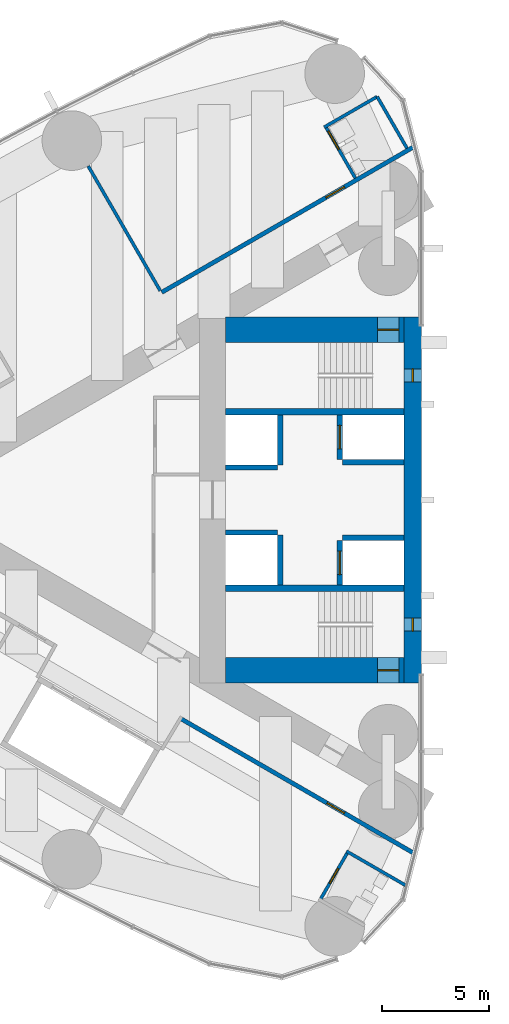
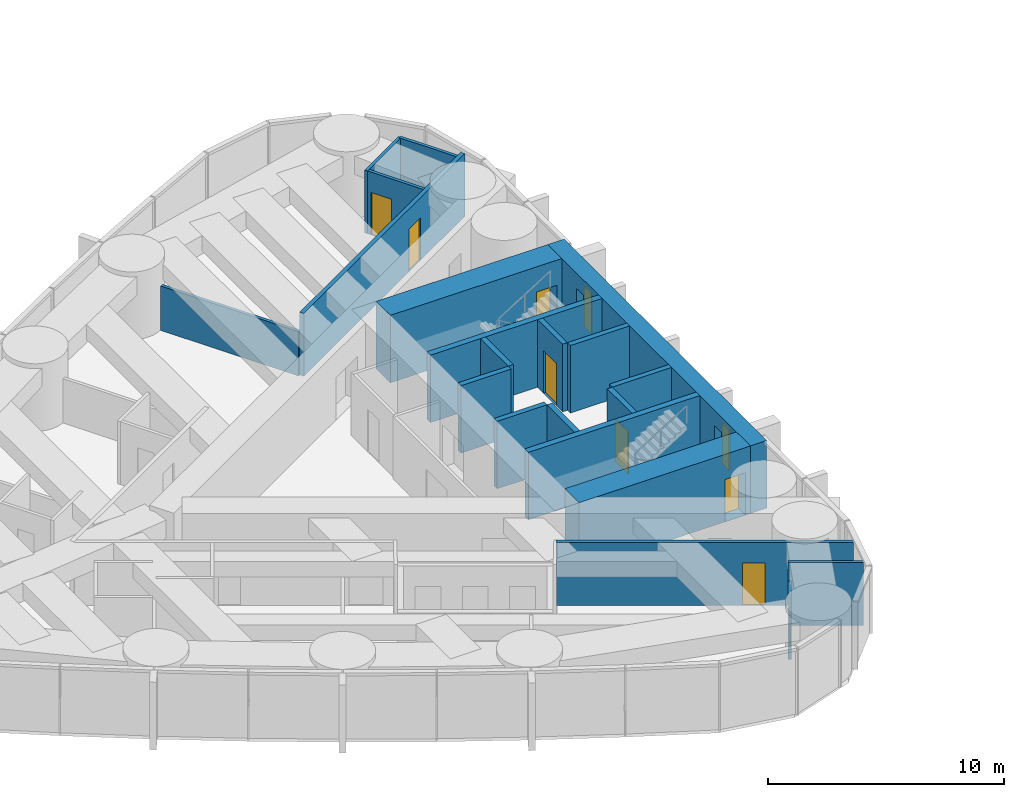
# One storey, part 13 of 18: 21 walls, 8 doors, 2 windows, 10 openings.
"""IFC4 building model written with IfcOpenShell, lengths in metres."""

from ifc_helpers import new_model, si_unit, direction, frame, frame_2d, origin, place, context, subcontext, project, spatial, rectangle, extrude, material, layer, layer_set, type_object, element, fill, save


model = new_model("IFC4")

# Units and contexts
model_context = context("Model", 3, precision=1e-05, world=origin(), true_north=direction((0.0, 1.0)))
body_context = subcontext(model_context, "Body", "Model", "MODEL_VIEW")
ifc_project = project(units=[si_unit("LENGTHUNIT", "METRE"), si_unit("AREAUNIT", "SQUARE_METRE"), si_unit("VOLUMEUNIT", "CUBIC_METRE"), si_unit("PLANEANGLEUNIT", "RADIAN"), si_unit("MASSUNIT", "GRAM", prefix="KILO")], contexts=[model_context])

# Site, building, storey
site_placement = place(None, origin())
site = spatial("IfcSite", under=ifc_project, at=site_placement, CompositionType="ELEMENT")
building_placement = place(site_placement, origin())
building = spatial("IfcBuilding", under=site, at=building_placement, Name="Lancet Gate Hotel", CompositionType="ELEMENT")
storey_placement = place(building_placement, frame((0.0, 0.0, 180.800048828125)))
storey = spatial("IfcBuildingStorey", under=building, at=storey_placement, Name="L48", CompositionType="ELEMENT", Elevation=180.800048828125)

# Wall
ifc_material_1 = material(Name="Moisture resistant board partition")
ifc_layer_1 = layer(ifc_material_1, 0.14990234375)
ifc_layer_set_1 = layer_set([ifc_layer_1], Name="Bathroom wall 150")
wall_type_1 = type_object("IfcWallType", Name="Bathroom wall 150", PredefinedType="PARTITIONING", material=ifc_layer_set_1)
wall_1_placement = place(storey_placement, frame((-29.56982421875, 18.936279296875, 0.0), z_axis=(0.0, 0.0, 1.0), x_axis=(-0.866018712932, -0.500011588718, 0.0)))
element("IfcWall", 1, at=wall_1_placement, inside=storey, type_object=wall_type_1, Name="T1 bathroom wall 150 L48", PredefinedType="PARTITIONING", context=body_context, shape_type="SweptSolid", body=[
    extrude(rectangle(XDim=2.875, YDim=0.14990234375, at=frame_2d((1.4375, 0.0))), origin(), (0.0, 0.0, 1.0), 3.25),
])

# Wall, opening, door
wall_2_placement = place(storey_placement, frame((-30.5947265625, 15.111328125, 0.0), z_axis=(0.0, 0.0, 1.0), x_axis=(-0.49998411664, 0.866034573852, 0.0)))
wall_2 = element("IfcWall", 2, at=wall_2_placement, inside=storey, type_object=wall_type_1, Name="T1 bathroom wall 150 L48", PredefinedType="PARTITIONING", context=body_context, shape_type="SweptSolid", body=[
    extrude(rectangle(XDim=2.7998046875, YDim=0.14990234375, at=frame_2d((1.39990234375, 0.0))), origin(), (0.0, 0.0, 1.0), 3.25),
])
opening_1_placement = place(wall_2_placement, frame((1.550048828125, 0.0, 0.0)))
opening_1 = element("IfcOpeningElement", 3, at=opening_1_placement, cuts=wall_2, Name="Opening 4801-B", PredefinedType="OPENING", context=body_context, shape_type="SweptSolid", body=[
    extrude(rectangle(XDim=1.0, YDim=2.199951171875, at=frame_2d((0.5, 1.10009765625))), frame((0.0, 0.0849609375, 0.0), z_axis=(0.0, -1.0, 0.0), x_axis=(1.0, 0.0, 0.0)), (0.0, 0.0, 1.0), 0.169921875),
])
ifc_material_2 = material(Name="Timber door set", Category="wood")
door_type_1 = type_object("IfcDoorType", Name="Accessible en-suite door 1000", OperationType="SINGLE_SWING_RIGHT", PredefinedType="DOOR", material=ifc_material_2)
door_1_placement = place(opening_1_placement, origin())
door_1 = element("IfcDoor", 4, at=door_1_placement, inside=storey, type_object=door_type_1, Name="4801-B", OperationType="SINGLE_SWING_RIGHT", OverallHeight=2.199951171875, OverallWidth=1.0, PredefinedType="DOOR", context=body_context, shape_type="SweptSolid", body=[
    extrude(rectangle(XDim=1.0, YDim=2.199951171875, at=frame_2d((0.5, 1.10009765625))), frame((0.0, 0.02490234375, 0.0), z_axis=(0.0, -1.0, 0.0), x_axis=(1.0, 0.0, 0.0)), (0.0, 0.0, 1.0), 0.050048828125),
])
fill(opening_1, door_1)

# Wall
wall_3_placement = place(storey_placement, frame((-28.169921875, 16.51123046875, 0.0), z_axis=(0.0, 0.0, 1.0), x_axis=(-0.49994636267, 0.866056369097, 0.0)))
element("IfcWall", 5, at=wall_3_placement, inside=storey, type_object=wall_type_1, Name="T1 bathroom wall 150 L48", PredefinedType="PARTITIONING", context=body_context, shape_type="SweptSolid", body=[
    extrude(rectangle(XDim=2.800048828125, YDim=0.14990234375, at=frame_2d((1.39990234375, 0.0))), origin(), (0.0, 0.0, 1.0), 3.25),
])

# Wall, opening, door
wall_4_placement = place(storey_placement, frame((-30.9482421875, -16.523681640625, 0.0), z_axis=(0.0, 0.0, 1.0), x_axis=(-0.500006934395, -0.866021400173, 0.0)))
wall_4 = element("IfcWall", 6, at=wall_4_placement, inside=storey, type_object=wall_type_1, Name="T1 bathroom wall 150 L48", PredefinedType="PARTITIONING", context=body_context, shape_type="SweptSolid", body=[
    extrude(rectangle(XDim=2.60009765625, YDim=0.14990234375, at=frame_2d((1.300048828125, 0.0))), origin(), (0.0, 0.0, 1.0), 2.300048828125),
])
opening_2_placement = place(wall_4_placement, frame((0.89990234375, 0.0, 0.0)))
opening_2 = element("IfcOpeningElement", 7, at=opening_2_placement, cuts=wall_4, Name="Opening 4808-B", PredefinedType="OPENING", context=body_context, shape_type="SweptSolid", body=[
    extrude(rectangle(XDim=0.800048828125, YDim=2.199951171875, at=frame_2d((0.39990234375, 1.10009765625))), frame((0.0, 0.0849609375, 0.0), z_axis=(0.0, -1.0, 0.0), x_axis=(1.0, 0.0, 0.0)), (0.0, 0.0, 1.0), 0.169921875),
])
ifc_material_3 = material(Name="Timber door set", Category="wood")
door_type_2 = type_object("IfcDoorType", Name="Bathroom door 800", OperationType="SINGLE_SWING_RIGHT", PredefinedType="DOOR", material=ifc_material_3)
door_2_placement = place(opening_2_placement, origin())
door_2 = element("IfcDoor", 8, at=door_2_placement, inside=storey, type_object=door_type_2, Name="4808-B", OperationType="SINGLE_SWING_RIGHT", OverallHeight=2.199951171875, OverallWidth=0.800048828125, PredefinedType="DOOR", context=body_context, shape_type="SweptSolid", body=[
    extrude(rectangle(XDim=0.800048828125, YDim=2.199951171875, at=frame_2d((0.39990234375, 1.10009765625))), frame((0.0, 0.02490234375, 0.0), z_axis=(0.0, -1.0, 0.0), x_axis=(1.0, 0.0, 0.0)), (0.0, 0.0, 1.0), 0.050048828125),
])
fill(opening_2, door_2)

# Wall
wall_5_placement = place(storey_placement, frame((-28.246337890625, -18.083740234375, 0.0), z_axis=(0.0, 0.0, 1.0), x_axis=(-0.866029063467, 0.49999366119, 0.0)))
element("IfcWall", 9, at=wall_5_placement, inside=storey, type_object=wall_type_1, Name="T1 bathroom wall 150 L48", PredefinedType="PARTITIONING", context=body_context, shape_type="SweptSolid", body=[
    extrude(rectangle(XDim=3.19482421875, YDim=0.14990234375, at=frame_2d((1.597412109375, 0.0))), origin(), (0.0, 0.0, 1.0), 3.25),
])

# Wall, opening, door
ifc_material_4 = material(Name="Concrete C70/85", Category="concrete")
ifc_layer_2 = layer(ifc_material_4, 1.199951171875)
ifc_layer_set_2 = layer_set([ifc_layer_2], Name="Core wall 1200")
wall_type_2 = type_object("IfcWallType", Name="Core wall 1200", PredefinedType="SHEAR", material=ifc_layer_set_2)
wall_6_placement = place(storey_placement, frame((-28.300048828125, 8.0, 0.0), z_axis=(0.0, 0.0, 1.0), x_axis=(-1.0, 0.0, 0.0)))
wall_6 = element("IfcWall", 10, at=wall_6_placement, inside=storey, type_object=wall_type_2, Name="T1 core wall side-S L48", PredefinedType="SHEAR", context=body_context, shape_type="SweptSolid", body=[
    extrude(rectangle(XDim=8.39990234375, YDim=1.199951171875, at=frame_2d((4.199951171875, 0.0))), origin(), (0.0, 0.0, 1.0), 3.5),
])
opening_3_placement = place(wall_6_placement, frame((0.25, 0.0, 0.0)))
opening_3 = element("IfcOpeningElement", 11, at=opening_3_placement, cuts=wall_6, Name="Opening T1-L48-ST1", PredefinedType="OPENING", context=body_context, shape_type="SweptSolid", body=[
    extrude(rectangle(XDim=1.0, YDim=2.199951171875, at=frame_2d((0.5, 1.10009765625))), frame((0.0, 0.60986328125, 0.0), z_axis=(0.0, -1.0, 0.0), x_axis=(1.0, 0.0, 0.0)), (0.0, 0.0, 1.0), 1.219970703125),
])
ifc_material_5 = material(Name="Timber door set", Category="wood")
door_type_3 = type_object("IfcDoorType", Name="Stair door 1000", OperationType="SINGLE_SWING_RIGHT", PredefinedType="DOOR", material=ifc_material_5)
door_3_placement = place(opening_3_placement, origin())
door_3 = element("IfcDoor", 12, at=door_3_placement, inside=storey, type_object=door_type_3, Name="T1-L48-ST1", OperationType="SINGLE_SWING_RIGHT", OverallHeight=2.199951171875, OverallWidth=1.0, PredefinedType="DOOR", context=body_context, shape_type="SweptSolid", body=[
    extrude(rectangle(XDim=1.0, YDim=2.199951171875, at=frame_2d((0.5, 1.10009765625))), frame((0.0, 0.02490234375, 0.0), z_axis=(0.0, -1.0, 0.0), x_axis=(1.0, 0.0, 0.0)), (0.0, 0.0, 1.0), 0.050048828125),
])
fill(opening_3, door_3)

wall_7_placement = place(storey_placement, frame((-28.300048828125, -8.0, 0.0), z_axis=(0.0, 0.0, 1.0), x_axis=(-1.0, 0.0, 0.0)))
wall_7 = element("IfcWall", 13, at=wall_7_placement, inside=storey, type_object=wall_type_2, Name="T1 core wall side-N L48", PredefinedType="SHEAR", context=body_context, shape_type="SweptSolid", body=[
    extrude(rectangle(XDim=8.39990234375, YDim=1.199951171875, at=frame_2d((4.199951171875, 0.0))), origin(), (0.0, 0.0, 1.0), 3.5),
])
opening_4_placement = place(wall_7_placement, frame((0.25, 0.0, 0.0)))
opening_4 = element("IfcOpeningElement", 14, at=opening_4_placement, cuts=wall_7, Name="Opening T1-L48-ST2", PredefinedType="OPENING", context=body_context, shape_type="SweptSolid", body=[
    extrude(rectangle(XDim=1.0, YDim=2.199951171875, at=frame_2d((0.5, 1.10009765625))), frame((0.0, 0.60986328125, 0.0), z_axis=(0.0, -1.0, 0.0), x_axis=(1.0, 0.0, 0.0)), (0.0, 0.0, 1.0), 1.219970703125),
])
door_4_placement = place(opening_4_placement, origin())
door_4 = element("IfcDoor", 15, at=door_4_placement, inside=storey, type_object=door_type_3, Name="T1-L48-ST2", OperationType="SINGLE_SWING_RIGHT", OverallHeight=2.199951171875, OverallWidth=1.0, PredefinedType="DOOR", context=body_context, shape_type="SweptSolid", body=[
    extrude(rectangle(XDim=1.0, YDim=2.199951171875, at=frame_2d((0.5, 1.10009765625))), frame((0.0, 0.02490234375, 0.0), z_axis=(0.0, -1.0, 0.0), x_axis=(1.0, 0.0, 0.0)), (0.0, 0.0, 1.0), 0.050048828125),
])
fill(opening_4, door_4)

# Wall, openings, windows
ifc_material_6 = material(Name="Concrete C70/85", Category="concrete")
ifc_layer_3 = layer(ifc_material_6, 0.800048828125)
ifc_layer_set_3 = layer_set([ifc_layer_3], Name="Core wall 800")
wall_type_3 = type_object("IfcWallType", Name="Core wall 800", PredefinedType="SHEAR", material=ifc_layer_set_3)
wall_8_placement = place(storey_placement, frame((-27.89990234375, 8.60009765625, 0.0), z_axis=(0.0, 0.0, 1.0), x_axis=(0.0, -1.0, 0.0)))
wall_8 = element("IfcWall", 16, at=wall_8_placement, inside=storey, type_object=wall_type_3, Name="T1 core wall front L48", PredefinedType="SHEAR", context=body_context, shape_type="SweptSolid", body=[
    extrude(rectangle(XDim=17.2001953125, YDim=0.800048828125, at=frame_2d((8.60009765625, 0.0))), origin(), (0.0, 0.0, 1.0), 3.5),
])
opening_5_placement = place(wall_8_placement, frame((2.449951171875, 0.0, 0.60009765625)))
opening_5 = element("IfcOpeningElement", 17, at=opening_5_placement, cuts=wall_8, Name="Opening LW1", PredefinedType="OPENING", context=body_context, shape_type="SweptSolid", body=[
    extrude(rectangle(XDim=0.60009765625, YDim=2.10009765625, at=frame_2d((0.300048828125, 1.050048828125))), frame((0.0, 0.409912109375, 0.0), z_axis=(0.0, -1.0, 0.0), x_axis=(1.0, 0.0, 0.0)), (0.0, 0.0, 1.0), 0.820068359375),
])
opening_6_placement = place(wall_8_placement, frame((14.14990234375, 0.0, 0.60009765625)))
opening_6 = element("IfcOpeningElement", 18, at=opening_6_placement, cuts=wall_8, Name="Opening LW1", PredefinedType="OPENING", context=body_context, shape_type="SweptSolid", body=[
    extrude(rectangle(XDim=0.60009765625, YDim=2.10009765625, at=frame_2d((0.300048828125, 1.050048828125))), frame((0.0, 0.409912109375, 0.0), z_axis=(0.0, -1.0, 0.0), x_axis=(1.0, 0.0, 0.0)), (0.0, 0.0, 1.0), 0.820068359375),
])
ifc_material_7 = material(Name="Fire-resisting glazed steel window", Category="steel")
window_type = type_object("IfcWindowType", Name="Lancet window 600x2100", PartitioningType="SINGLE_PANEL", PredefinedType="WINDOW", material=ifc_material_7)
window_1_placement = place(opening_5_placement, origin())
window_1 = element("IfcWindow", 19, at=window_1_placement, inside=storey, type_object=window_type, Name="T1 stair window S L48", OverallHeight=2.10009765625, OverallWidth=0.60009765625, PartitioningType="SINGLE_PANEL", PredefinedType="WINDOW", context=body_context, shape_type="SweptSolid", body=[
    extrude(rectangle(XDim=0.60009765625, YDim=2.10009765625, at=frame_2d((0.300048828125, 1.050048828125))), frame((0.0, 0.030029296875, 0.0), z_axis=(0.0, -1.0, 0.0), x_axis=(1.0, 0.0, 0.0)), (0.0, 0.0, 1.0), 0.06005859375),
])
fill(opening_5, window_1)
window_2_placement = place(opening_6_placement, origin())
window_2 = element("IfcWindow", 20, at=window_2_placement, inside=storey, type_object=window_type, Name="T1 stair window N L48", OverallHeight=2.10009765625, OverallWidth=0.60009765625, PartitioningType="SINGLE_PANEL", PredefinedType="WINDOW", context=body_context, shape_type="SweptSolid", body=[
    extrude(rectangle(XDim=0.60009765625, YDim=2.10009765625, at=frame_2d((0.300048828125, 1.050048828125))), frame((0.0, 0.030029296875, 0.0), z_axis=(0.0, -1.0, 0.0), x_axis=(1.0, 0.0, 0.0)), (0.0, 0.0, 1.0), 0.06005859375),
])
fill(opening_6, window_2)

# Wall, opening, door
ifc_material_8 = material(Name="Gypsum board partition")
ifc_layer_4 = layer(ifc_material_8, 0.199951171875)
ifc_layer_set_4 = layer_set([ifc_layer_4], Name="Corridor wall 200")
wall_type_4 = type_object("IfcWallType", Name="Corridor wall 200", PredefinedType="PARTITIONING", material=ifc_layer_set_4)
wall_9_placement = place(storey_placement, frame((-27.860107421875, -16.57470703125, 0.0), z_axis=(0.0, 0.0, 1.0), x_axis=(-0.866027756871, 0.499995924312, 0.0)))
wall_9 = element("IfcWall", 21, at=wall_9_placement, inside=storey, type_object=wall_type_4, Name="T1 corridor wall 200 L48", PredefinedType="PARTITIONING", context=body_context, shape_type="SweptSolid", body=[
    extrude(rectangle(XDim=12.6220703125, YDim=0.199951171875, at=frame_2d((6.31103515625, 0.0))), origin(), (0.0, 0.0, 1.0), 3.25),
])
opening_7_placement = place(wall_9_placement, frame((3.75, 0.0, 0.0)))
opening_7 = element("IfcOpeningElement", 22, at=opening_7_placement, cuts=wall_9, Name="Opening 4808-E", PredefinedType="OPENING", context=body_context, shape_type="SweptSolid", body=[
    extrude(rectangle(XDim=0.949951171875, YDim=2.199951171875, at=frame_2d((0.47509765625, 1.10009765625))), frame((0.0, 0.10986328125, 0.0), z_axis=(0.0, -1.0, 0.0), x_axis=(1.0, 0.0, 0.0)), (0.0, 0.0, 1.0), 0.219970703125),
])
ifc_material_9 = material(Name="Timber door set", Category="wood")
door_type_4 = type_object("IfcDoorType", Name="Guest room entry door 950", OperationType="SINGLE_SWING_LEFT", PredefinedType="DOOR", material=ifc_material_9)
door_5_placement = place(opening_7_placement, origin())
door_5 = element("IfcDoor", 23, at=door_5_placement, inside=storey, type_object=door_type_4, Name="4808-E", OperationType="SINGLE_SWING_LEFT", OverallHeight=2.199951171875, OverallWidth=0.949951171875, PredefinedType="DOOR", context=body_context, shape_type="SweptSolid", body=[
    extrude(rectangle(XDim=0.949951171875, YDim=2.199951171875, at=frame_2d((0.47509765625, 1.10009765625))), frame((0.0, 0.02490234375, 0.0), z_axis=(0.0, -1.0, 0.0), x_axis=(1.0, 0.0, 0.0)), (0.0, 0.0, 1.0), 0.050048828125),
])
fill(opening_7, door_5)

wall_10_placement = place(storey_placement, frame((-27.860107421875, 16.57470703125, 0.0), z_axis=(0.0, 0.0, 1.0), x_axis=(-0.866026850238, -0.499997494661, 0.0)))
wall_10 = element("IfcWall", 24, at=wall_10_placement, inside=storey, type_object=wall_type_4, Name="T1 corridor wall 200 L48", PredefinedType="PARTITIONING", context=body_context, shape_type="SweptSolid", body=[
    extrude(rectangle(XDim=13.6513671875, YDim=0.199951171875, at=frame_2d((6.82568359375, 0.0))), origin(), (0.0, 0.0, 1.0), 3.25),
])
opening_8_placement = place(wall_10_placement, frame((3.75, 0.0, 0.0)))
opening_8 = element("IfcOpeningElement", 25, at=opening_8_placement, cuts=wall_10, Name="Opening 4801-E", PredefinedType="OPENING", context=body_context, shape_type="SweptSolid", body=[
    extrude(rectangle(XDim=1.0, YDim=2.199951171875, at=frame_2d((0.5, 1.10009765625))), frame((0.0, 0.10986328125, 0.0), z_axis=(0.0, -1.0, 0.0), x_axis=(1.0, 0.0, 0.0)), (0.0, 0.0, 1.0), 0.219970703125),
])
ifc_material_10 = material(Name="Timber door set", Category="wood")
door_type_5 = type_object("IfcDoorType", Name="Accessible guest room door 1000", OperationType="SINGLE_SWING_LEFT", PredefinedType="DOOR", material=ifc_material_10)
door_6_placement = place(opening_8_placement, origin())
door_6 = element("IfcDoor", 26, at=door_6_placement, inside=storey, type_object=door_type_5, Name="4801-E", OperationType="SINGLE_SWING_LEFT", OverallHeight=2.199951171875, OverallWidth=1.0, PredefinedType="DOOR", context=body_context, shape_type="SweptSolid", body=[
    extrude(rectangle(XDim=1.0, YDim=2.199951171875, at=frame_2d((0.5, 1.10009765625))), frame((0.0, 0.02490234375, 0.0), z_axis=(0.0, -1.0, 0.0), x_axis=(1.0, 0.0, 0.0)), (0.0, 0.0, 1.0), 0.050048828125),
])
fill(opening_8, door_6)

ifc_material_11 = material(Name="Concrete C50/60", Category="concrete")
ifc_layer_5 = layer(ifc_material_11, 0.25)
ifc_layer_set_5 = layer_set([ifc_layer_5], Name="Lift shaft wall 250")
wall_type_5 = type_object("IfcWallType", Name="Lift shaft wall 250", PredefinedType="SHEAR", material=ifc_layer_set_5)
wall_11_placement = place(storey_placement, frame((-31.324951171875, 4.0, 0.0), z_axis=(0.0, 0.0, 1.0), x_axis=(0.0, -1.0, 0.0)))
wall_11 = element("IfcWall", 27, at=wall_11_placement, inside=storey, type_object=wall_type_5, Name="T1 core wall row1-S L48", PredefinedType="SHEAR", context=body_context, shape_type="SweptSolid", body=[
    extrude(rectangle(XDim=2.10009765625, YDim=0.25, at=frame_2d((1.050048828125, 0.0))), origin(), (0.0, 0.0, 1.0), 3.5),
])
opening_9_placement = place(wall_11_placement, frame((0.5, 0.0, 0.0)))
opening_9 = element("IfcOpeningElement", 28, at=opening_9_placement, cuts=wall_11, Name="Opening T1-SL1-L48", PredefinedType="OPENING", context=body_context, shape_type="SweptSolid", body=[
    extrude(rectangle(XDim=1.10009765625, YDim=2.199951171875, at=frame_2d((0.550048828125, 1.10009765625))), frame((0.0, 0.135009765625, 0.0), z_axis=(0.0, -1.0, 0.0), x_axis=(1.0, 0.0, 0.0)), (0.0, 0.0, 1.0), 0.27001953125),
])
ifc_material_12 = material(Name="Timber door set", Category="wood")
door_type_6 = type_object("IfcDoorType", Name="Service lift landing door 1100", OperationType="SLIDING_TO_LEFT", PredefinedType="USERDEFINED", material=ifc_material_12)
door_7_placement = place(opening_9_placement, origin())
door_7 = element("IfcDoor", 29, at=door_7_placement, inside=storey, type_object=door_type_6, Name="T1-SL1-L48", ObjectType="LIFT LANDING DOOR", OperationType="SLIDING_TO_LEFT", OverallHeight=2.199951171875, OverallWidth=1.10009765625, PredefinedType="USERDEFINED", context=body_context, shape_type="SweptSolid", body=[
    extrude(rectangle(XDim=1.10009765625, YDim=2.199951171875, at=frame_2d((0.550048828125, 1.10009765625))), frame((0.0, 0.02490234375, 0.0), z_axis=(0.0, -1.0, 0.0), x_axis=(1.0, 0.0, 0.0)), (0.0, 0.0, 1.0), 0.050048828125),
])
fill(opening_9, door_7)

# Walls
wall_12_placement = place(storey_placement, frame((-34.125, 4.0, 0.0), z_axis=(0.0, 0.0, 1.0), x_axis=(0.0, -1.0, 0.0)))
element("IfcWall", 30, at=wall_12_placement, inside=storey, type_object=wall_type_5, Name="T1 core wall row2-S L48", PredefinedType="SHEAR", context=body_context, shape_type="SweptSolid", body=[
    extrude(rectangle(XDim=2.35009765625, YDim=0.25, at=frame_2d((1.175048828125, 0.0))), origin(), (0.0, 0.0, 1.0), 3.5),
])
wall_13_placement = place(storey_placement, frame((-28.300048828125, 1.77490234375, 0.0), z_axis=(0.0, 0.0, 1.0), x_axis=(-1.0, 0.0, 0.0)))
element("IfcWall", 31, at=wall_13_placement, inside=storey, type_object=wall_type_5, Name="T1 core wall pass1-S L48", PredefinedType="SHEAR", context=body_context, shape_type="SweptSolid", body=[
    extrude(rectangle(XDim=2.89990234375, YDim=0.25, at=frame_2d((1.449951171875, 0.0))), origin(), (0.0, 0.0, 1.0), 3.5),
])
wall_14_placement = place(storey_placement, frame((-34.25, 1.52490234375, 0.0), z_axis=(0.0, 0.0, 1.0), x_axis=(-1.0, 0.0, 0.0)))
element("IfcWall", 32, at=wall_14_placement, inside=storey, type_object=wall_type_5, Name="T1 core wall pass2-S L48", PredefinedType="SHEAR", context=body_context, shape_type="SweptSolid", body=[
    extrude(rectangle(XDim=2.449951171875, YDim=0.25, at=frame_2d((1.22509765625, 0.0))), origin(), (0.0, 0.0, 1.0), 3.5),
])

# Wall, opening, door
wall_15_placement = place(storey_placement, frame((-31.324951171875, -1.89990234375, 0.0), z_axis=(0.0, 0.0, 1.0), x_axis=(0.0, -1.0, 0.0)))
wall_15 = element("IfcWall", 33, at=wall_15_placement, inside=storey, type_object=wall_type_5, Name="T1 core wall row1-N L48", PredefinedType="SHEAR", context=body_context, shape_type="SweptSolid", body=[
    extrude(rectangle(XDim=2.10009765625, YDim=0.25, at=frame_2d((1.050048828125, 0.0))), origin(), (0.0, 0.0, 1.0), 3.5),
])
opening_10_placement = place(wall_15_placement, frame((0.5, 0.0, 0.0)))
opening_10 = element("IfcOpeningElement", 34, at=opening_10_placement, cuts=wall_15, Name="Opening T1-FL2-L48", PredefinedType="OPENING", context=body_context, shape_type="SweptSolid", body=[
    extrude(rectangle(XDim=1.10009765625, YDim=2.199951171875, at=frame_2d((0.550048828125, 1.10009765625))), frame((0.0, 0.135009765625, 0.0), z_axis=(0.0, -1.0, 0.0), x_axis=(1.0, 0.0, 0.0)), (0.0, 0.0, 1.0), 0.27001953125),
])
ifc_material_13 = material(Name="Steel door set", Category="steel")
door_type_7 = type_object("IfcDoorType", Name="Firefighting lift landing door 1100", OperationType="SLIDING_TO_LEFT", PredefinedType="USERDEFINED", material=ifc_material_13)
door_8_placement = place(opening_10_placement, origin())
door_8 = element("IfcDoor", 35, at=door_8_placement, inside=storey, type_object=door_type_7, Name="T1-FL2-L48", ObjectType="LIFT LANDING DOOR", OperationType="SLIDING_TO_LEFT", OverallHeight=2.199951171875, OverallWidth=1.10009765625, PredefinedType="USERDEFINED", context=body_context, shape_type="SweptSolid", body=[
    extrude(rectangle(XDim=1.10009765625, YDim=2.199951171875, at=frame_2d((0.550048828125, 1.10009765625))), frame((0.0, 0.02490234375, 0.0), z_axis=(0.0, -1.0, 0.0), x_axis=(1.0, 0.0, 0.0)), (0.0, 0.0, 1.0), 0.050048828125),
])
fill(opening_10, door_8)

# Walls
wall_16_placement = place(storey_placement, frame((-34.125, -1.64990234375, 0.0), z_axis=(0.0, 0.0, 1.0), x_axis=(0.0, -1.0, 0.0)))
element("IfcWall", 36, at=wall_16_placement, inside=storey, type_object=wall_type_5, Name="T1 core wall row2-N L48", PredefinedType="SHEAR", context=body_context, shape_type="SweptSolid", body=[
    extrude(rectangle(XDim=2.35009765625, YDim=0.25, at=frame_2d((1.175048828125, 0.0))), origin(), (0.0, 0.0, 1.0), 3.5),
])
wall_17_placement = place(storey_placement, frame((-28.300048828125, -1.77490234375, 0.0), z_axis=(0.0, 0.0, 1.0), x_axis=(-1.0, 0.0, 0.0)))
element("IfcWall", 37, at=wall_17_placement, inside=storey, type_object=wall_type_5, Name="T1 core wall pass1-N L48", PredefinedType="SHEAR", context=body_context, shape_type="SweptSolid", body=[
    extrude(rectangle(XDim=2.89990234375, YDim=0.25, at=frame_2d((1.449951171875, 0.0))), origin(), (0.0, 0.0, 1.0), 3.5),
])
wall_18_placement = place(storey_placement, frame((-34.25, -1.52490234375, 0.0), z_axis=(0.0, 0.0, 1.0), x_axis=(-1.0, 0.0, 0.0)))
element("IfcWall", 38, at=wall_18_placement, inside=storey, type_object=wall_type_5, Name="T1 core wall pass2-N L48", PredefinedType="SHEAR", context=body_context, shape_type="SweptSolid", body=[
    extrude(rectangle(XDim=2.449951171875, YDim=0.25, at=frame_2d((1.22509765625, 0.0))), origin(), (0.0, 0.0, 1.0), 3.5),
])
ifc_material_14 = material(Name="Gypsum board partition")
ifc_layer_6 = layer(ifc_material_14, 0.14990234375)
ifc_layer_set_6 = layer_set([ifc_layer_6], Name="Party wall 150")
wall_type_6 = type_object("IfcWallType", Name="Party wall 150", PredefinedType="PARTITIONING", material=ifc_layer_set_6)
wall_19_placement = place(storey_placement, frame((-39.75439453125, 9.822998046875, 0.0), z_axis=(0.0, 0.0, 1.0), x_axis=(-0.499997670926, 0.866026748472, 0.0)))
element("IfcWall", 39, at=wall_19_placement, inside=storey, type_object=wall_type_6, Name="T1 party wall 150 L48", PredefinedType="PARTITIONING", context=body_context, shape_type="SweptSolid", body=[
    extrude(rectangle(XDim=6.75732421875, YDim=0.14990234375, at=frame_2d((3.378662109375, 0.0))), origin(), (0.0, 0.0, 1.0), 2.300048828125),
])
ifc_material_15 = material(Name="Concrete C50/60", Category="concrete")
ifc_layer_7 = layer(ifc_material_15, 0.300048828125)
ifc_layer_set_7 = layer_set([ifc_layer_7], Name="Stair enclosure wall 300")
wall_type_7 = type_object("IfcWallType", Name="Stair enclosure wall 300", PredefinedType="SHEAR", material=ifc_layer_set_7)
for number, where, z_axis, x_axis, name in (
    (40, (-28.300048828125, 4.14990234375, 0.0), (0.0, 0.0, 1.0), (-1.0, 0.0, 0.0), "T1 core wall stair-S L48"),
    (41, (-28.300048828125, -4.14990234375, 0.0), (0.0, 0.0, 1.0), (-1.0, 0.0, 0.0), "T1 core wall stair-N L48"),
):
    element("IfcWall", number, at=place(storey_placement, frame(where, z_axis=z_axis, x_axis=x_axis)), inside=storey, type_object=wall_type_7, Name=name, PredefinedType="SHEAR", context=body_context, shape_type="SweptSolid", body=[
        extrude(rectangle(XDim=8.39990234375, YDim=0.300048828125, at=frame_2d((4.199951171875, 0.0))), origin(), (0.0, 0.0, 1.0), 3.5),
    ])

save(model, "model.ifc")
